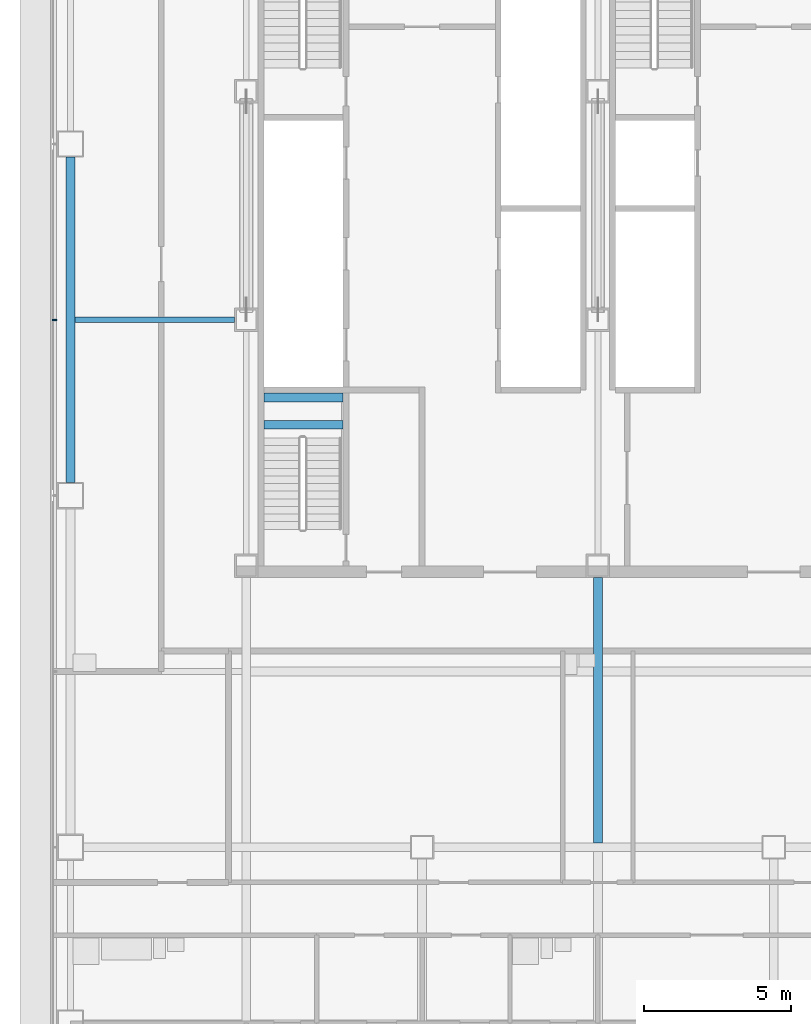
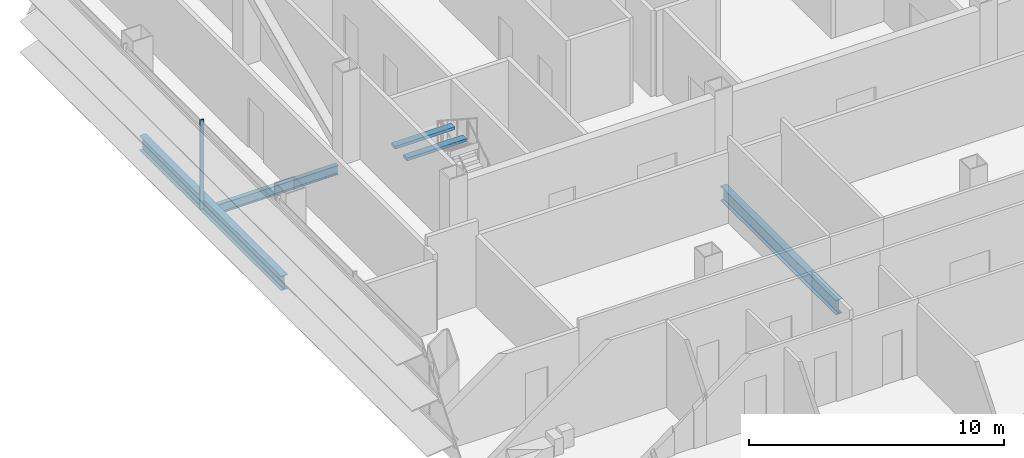
# One storey, part 6 of 27: 5 beams, 1 member, 1 element without a shape of its own.
"""IFC4 building model written with IfcOpenShell, lengths in metres."""

from ifc_helpers import new_model, si_unit, direction, frame, origin, origin_2d, place, context, subcontext, project, spatial, rectangle, i_section, extrude, material, material_profile, profile_set, type_object, element, aggregate, save


model = new_model("IFC4")

# Units and contexts
model_context = context("Model", 3, precision=1e-05, world=origin(), true_north=direction((0.0, 1.0)))
body_context = subcontext(model_context, "Body", "Model", "MODEL_VIEW")
ifc_project = project(units=[si_unit("LENGTHUNIT", "METRE"), si_unit("AREAUNIT", "SQUARE_METRE"), si_unit("VOLUMEUNIT", "CUBIC_METRE"), si_unit("PLANEANGLEUNIT", "RADIAN"), si_unit("MASSUNIT", "GRAM", prefix="KILO")], contexts=[model_context])

# Site, building, storey
site_placement = place(None, origin())
site = spatial("IfcSite", under=ifc_project, at=site_placement, CompositionType="ELEMENT")
building_placement = place(site_placement, origin())
building = spatial("IfcBuilding", under=site, at=building_placement, Name="Sorahane Residences", CompositionType="ELEMENT")
storey_placement = place(building_placement, frame((0.0, 0.0, 85.800048828125)))
storey = spatial("IfcBuildingStorey", under=building, at=storey_placement, Name="L18", CompositionType="ELEMENT", Elevation=85.800048828125)

# Curtain wall, member
ifc_material_1 = material(Name="Dark low-e glass and black anodised aluminium", Category="aluminium")
curtain_wall_type = type_object("IfcCurtainWallType", Name="Curtain wall CW-1 Typical unitised wall", PredefinedType="NOTDEFINED", material=ifc_material_1)
curtain_wall_placement = place(storey_placement, origin())
curtain_wall = element("IfcCurtainWall", 1, at=curtain_wall_placement, inside=storey, type_object=curtain_wall_type, Name="CW-1 curtain wall L18 W1", PredefinedType="NOTDEFINED")
ifc_material_2 = material(Name="Black anodised aluminium", Category="aluminium")
ifc_material_profile_1 = material_profile(ifc_material_2, rectangle(XDim=0.159912109375, YDim=0.050048828125, at=origin_2d()), Name="Curtain wall mullion CW-1 black anodised aluminium 50x160")
ifc_profile_set_1 = profile_set([ifc_material_profile_1], Name="Black anodised aluminium")
member_type = type_object("IfcMemberType", Name="Curtain wall mullion CW-1 black anodised aluminium 50x160", PredefinedType="MULLION", material=ifc_profile_set_1)
member_placement = place(storey_placement, frame((-0.5400390625, 30.0, -0.179931640625), z_axis=(0.0, 0.0, 1.0), x_axis=(-1.0, 0.0, 0.0)))
member = element("IfcMember", 2, at=member_placement, type_object=member_type, Name="CW-1 mullion L18 W1.3", PredefinedType="MULLION", context=body_context, shape_type="SweptSolid", body=[
    extrude(rectangle(XDim=0.159912109375, YDim=0.050048828125, at=origin_2d()), origin(), (0.0, 0.0, 1.0), 4.27978515625),
])
aggregate(curtain_wall, [member])

# Beams
ifc_material_3 = material(Name="Concrete C40", Category="concrete")
ifc_material_profile_2 = material_profile(ifc_material_3, rectangle(XDim=0.300048828125, YDim=0.139892578125, at=origin_2d()), Name="300x140")
ifc_profile_set_2 = profile_set([ifc_material_profile_2], Name="Concrete C40")
beam_type_1 = type_object("IfcBeamType", Name="RC landing beam 300 x 140 Concrete C40", PredefinedType="BEAM", material=ifc_profile_set_2)
for number, where, z_axis, x_axis, name in (
    (3, (6.60009765625, 26.419921875, 1.929931640625), (1.0, 0.0, 0.0), (0.0, 1.0, 0.0), "Landing beam"),
    (4, (6.60009765625, 27.35009765625, 1.929931640625), (1.0, 0.0, 0.0), (0.0, 1.0, 0.0), "Landing beam"),
):
    element("IfcBeam", number, at=place(storey_placement, frame(where, z_axis=z_axis, x_axis=x_axis)), inside=storey, type_object=beam_type_1, Name=name, PredefinedType="BEAM", context=body_context, shape_type="SweptSolid", body=[
        extrude(rectangle(XDim=0.300048828125, YDim=0.139892578125, at=origin_2d()), origin(), (0.0, 0.0, 1.0), 2.699951171875),
    ])
ifc_material_4 = material(Name="Steel Q355B", Category="steel")
ifc_material_profile_3 = material_profile(ifc_material_4, i_section(OverallWidth=0.199951171875, OverallDepth=0.449951171875, WebThickness=0.009033203125, FlangeThickness=0.013916015625, FilletRadius=0.02001953125, at=origin_2d()), Name="HN 450x200x9x14")
ifc_profile_set_3 = profile_set([ifc_material_profile_3], Name="Steel Q355B")
beam_type_2 = type_object("IfcBeamType", Name="Steel floor beam HN 450x200x9x14 Q355B", PredefinedType="BEAM", material=ifc_profile_set_3)
beam_1_placement = place(storey_placement, frame((0.14990234375, 30.0, -0.405029296875), z_axis=(1.0, 0.0, 0.0), x_axis=(0.0, 1.0, 0.0)))
element("IfcBeam", 5, at=beam_1_placement, inside=storey, type_object=beam_type_2, Name="Beam L18 076", PredefinedType="BEAM", context=body_context, shape_type="SweptSolid", body=[
    extrude(i_section(OverallWidth=0.199951171875, OverallDepth=0.449951171875, WebThickness=0.009033203125, FlangeThickness=0.013916015625, FilletRadius=0.02001953125, at=origin_2d()), origin(), (0.0, 0.0, 1.0), 5.4501953125),
])
ifc_material_5 = material(Name="Steel Q355B", Category="steel")
ifc_material_profile_4 = material_profile(ifc_material_5, i_section(OverallWidth=0.300048828125, OverallDepth=0.699951171875, WebThickness=0.012939453125, FlangeThickness=0.02392578125, FilletRadius=0.028076171875, at=origin_2d()), Name="HN 700x300x13x24")
ifc_profile_set_4 = profile_set([ifc_material_profile_4], Name="Steel Q355B")
beam_type_3 = type_object("IfcBeamType", Name="Steel floor beam HN 700x300x13x24 Q355B", PredefinedType="BEAM", material=ifc_profile_set_4)
beam_2_placement = place(storey_placement, frame((0.0, 24.449951171875, -0.530029296875), z_axis=(0.0, 1.0, 0.0), x_axis=(-1.0, 0.0, 0.0)))
element("IfcBeam", 6, at=beam_2_placement, inside=storey, type_object=beam_type_3, Name="Beam L18 019", PredefinedType="BEAM", context=body_context, shape_type="SweptSolid", body=[
    extrude(i_section(OverallWidth=0.300048828125, OverallDepth=0.699951171875, WebThickness=0.012939453125, FlangeThickness=0.02392578125, FilletRadius=0.028076171875, at=origin_2d()), origin(), (0.0, 0.0, 1.0), 11.10009765625),
])
beam_3_placement = place(storey_placement, frame((18.0, 12.14990234375, -0.530029296875), z_axis=(0.0, 1.0, 0.0), x_axis=(-1.0, 0.0, 0.0)))
element("IfcBeam", 7, at=beam_3_placement, inside=storey, type_object=beam_type_3, Name="Beam L18 030", PredefinedType="BEAM", context=body_context, shape_type="SweptSolid", body=[
    extrude(i_section(OverallWidth=0.300048828125, OverallDepth=0.699951171875, WebThickness=0.012939453125, FlangeThickness=0.02392578125, FilletRadius=0.028076171875, at=origin_2d()), origin(), (0.0, 0.0, 1.0), 9.050048828125),
])

save(model, "model.ifc")
